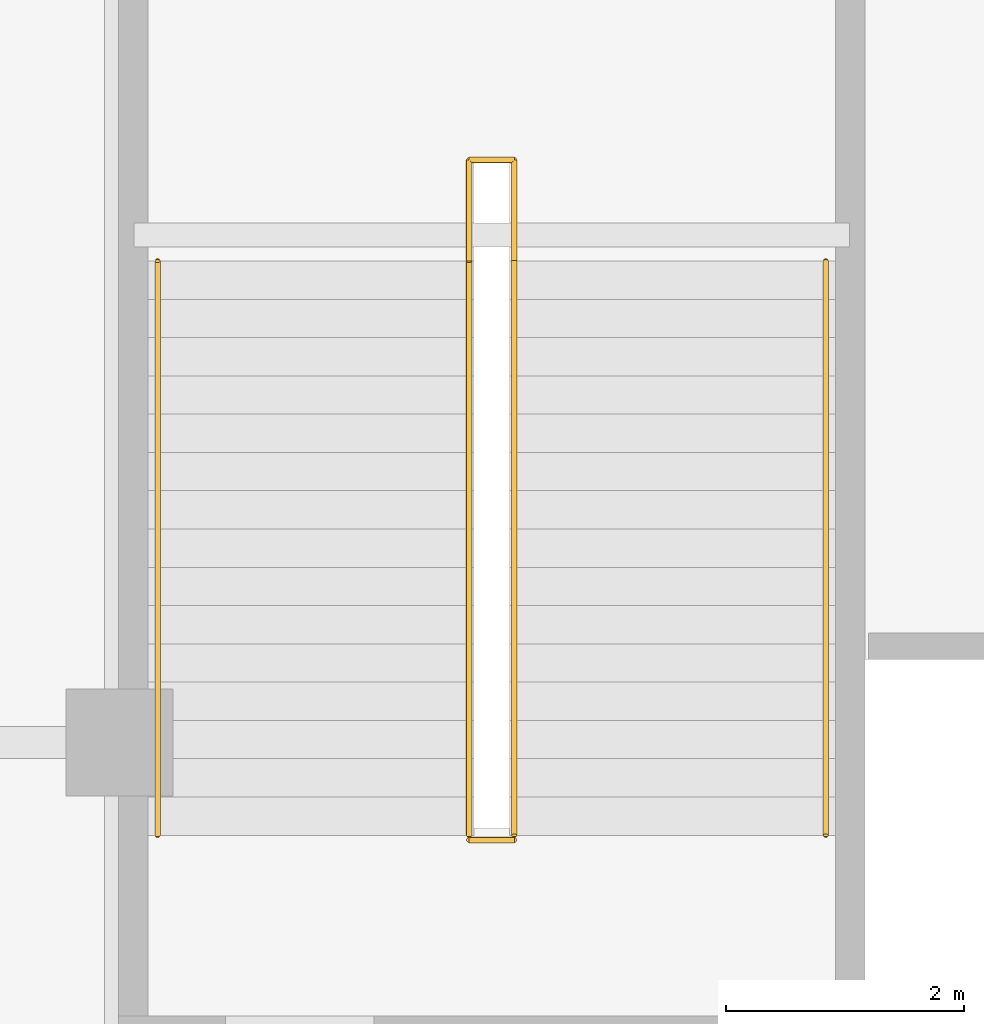
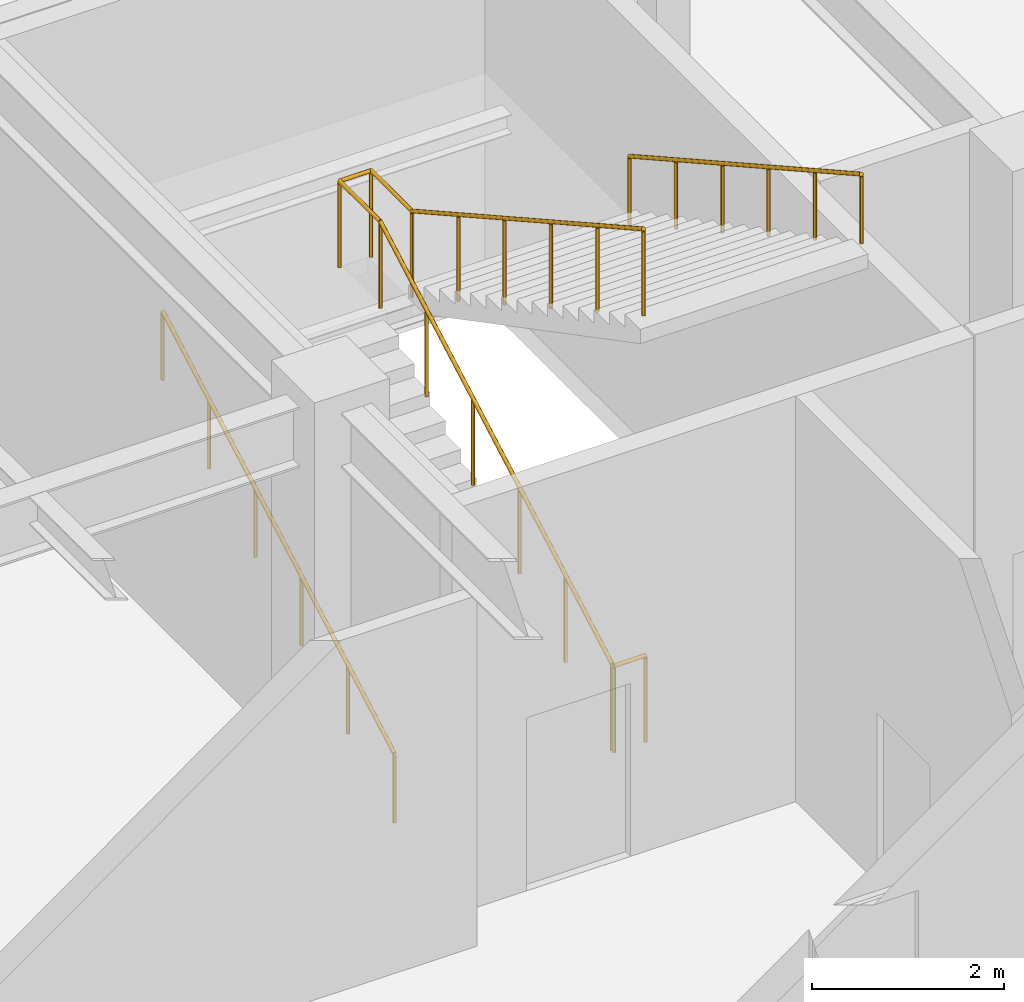
# One storey, part 137 of 139: 4 railings.
"""IFC4 building model written with IfcOpenShell, lengths in metres."""

from ifc_helpers import new_model, si_unit, direction, frame, origin, origin_2d, place, context, subcontext, project, spatial, circle, extrude, material, type_object, element, save


model = new_model("IFC4")

# Units and contexts
model_context = context("Model", 3, precision=1e-05, world=origin(), true_north=direction((0.0, 1.0)))
body_context = subcontext(model_context, "Body", "Model", "MODEL_VIEW")
ifc_project = project(units=[si_unit("LENGTHUNIT", "METRE"), si_unit("AREAUNIT", "SQUARE_METRE"), si_unit("VOLUMEUNIT", "CUBIC_METRE"), si_unit("PLANEANGLEUNIT", "RADIAN"), si_unit("MASSUNIT", "GRAM", prefix="KILO")], contexts=[model_context])

# Site, building, storey
site_placement = place(None, origin())
site = spatial("IfcSite", under=ifc_project, at=site_placement, CompositionType="ELEMENT")
building_placement = place(site_placement, origin())
building = spatial("IfcBuilding", under=site, at=building_placement, Name="Xicomal Pleat Aquarium", CompositionType="ELEMENT")
storey_placement = place(building_placement, origin())
storey = spatial("IfcBuildingStorey", under=building, at=storey_placement, Name="L01", CompositionType="ELEMENT", Elevation=0.0)

# Railings
ifc_material_1 = material(Name="Brushed stainless steel 316L", Category="steel")
railing_type_1 = type_object("IfcRailingType", Name="RAL-HR-900", PredefinedType="HANDRAIL", material=ifc_material_1)
railing_1_placement = place(storey_placement, frame((10.52001953125, 67.6201171875, 0.0)))
element("IfcRailing", 1, at=railing_1_placement, inside=storey, type_object=railing_type_1, Name="ST-03-L01 flight 1 handrail", PredefinedType="HANDRAIL", context=body_context, shape_type="SweptSolid", body=[
    extrude(circle(Radius=0.02392578125, at=origin_2d()), frame((0.0, 0.0, 0.8759765625), z_axis=(0.0, 0.872872184848, 0.487948920398), x_axis=(-1.0, 0.0, 0.0)), (0.0, 0.0, 1.0), 5.533203125),
    extrude(circle(Radius=0.02099609375, at=origin_2d()), origin(), (0.0, 0.0, 1.0), 0.851806640625),
    extrude(circle(Radius=0.02099609375, at=origin_2d()), frame((0.0, 0.966064453125, 0.5400390625)), (0.0, 0.0, 1.0), 0.851806640625),
    extrude(circle(Radius=0.02099609375, at=origin_2d()), frame((0.0, 1.931884765625, 1.080078125)), (0.0, 0.0, 1.0), 0.851806640625),
    extrude(circle(Radius=0.02099609375, at=origin_2d()), frame((0.0, 2.89794921875, 1.619873046875)), (0.0, 0.0, 1.0), 0.851806640625),
    extrude(circle(Radius=0.02099609375, at=origin_2d()), frame((0.0, 3.86376953125, 2.159912109375)), (0.0, 0.0, 1.0), 0.851806640625),
    extrude(circle(Radius=0.02099609375, at=origin_2d()), frame((0.0, 4.829833984375, 2.699951171875)), (0.0, 0.0, 1.0), 0.851806640625),
])
railing_2_placement = place(storey_placement, frame((16.139892578125, 72.449951171875, 2.699951171875)))
element("IfcRailing", 2, at=railing_2_placement, inside=storey, type_object=railing_type_1, Name="ST-03-L01 flight 2 handrail", PredefinedType="HANDRAIL", context=body_context, shape_type="SweptSolid", body=[
    extrude(circle(Radius=0.02392578125, at=origin_2d()), frame((0.0, 0.0, 0.8759765625), z_axis=(0.0, -0.872872184848, 0.487948920398), x_axis=(1.0, 0.0, 0.0)), (0.0, 0.0, 1.0), 5.533203125),
    extrude(circle(Radius=0.02099609375, at=origin_2d()), origin(), (0.0, 0.0, 1.0), 0.851806640625),
    extrude(circle(Radius=0.02099609375, at=origin_2d()), frame((0.0, -0.966064453125, 0.5400390625)), (0.0, 0.0, 1.0), 0.851806640625),
    extrude(circle(Radius=0.02099609375, at=origin_2d()), frame((0.0, -1.931884765625, 1.080078125)), (0.0, 0.0, 1.0), 0.851806640625),
    extrude(circle(Radius=0.02099609375, at=origin_2d()), frame((0.0, -2.89794921875, 1.619873046875)), (0.0, 0.0, 1.0), 0.851806640625),
    extrude(circle(Radius=0.02099609375, at=origin_2d()), frame((0.0, -3.86376953125, 2.159912109375)), (0.0, 0.0, 1.0), 0.851806640625),
    extrude(circle(Radius=0.02099609375, at=origin_2d()), frame((0.0, -4.829833984375, 2.699951171875)), (0.0, 0.0, 1.0), 0.851806640625),
])
ifc_material_2 = material(Name="Brushed stainless steel 316L", Category="steel")
railing_type_2 = type_object("IfcRailingType", Name="RAL-STG-1120", PredefinedType="GUARDRAIL", material=ifc_material_2)
railing_3_placement = place(storey_placement, frame((13.139892578125, 67.6201171875, 0.0)))
element("IfcRailing", 3, at=railing_3_placement, inside=storey, type_object=railing_type_2, Name="ST-03-L01 inner well guard", PredefinedType="GUARDRAIL", context=body_context, shape_type="SweptSolid", body=[
    extrude(circle(Radius=0.02392578125, at=origin_2d()), frame((0.0, 0.0, 1.09619140625), z_axis=(0.0, 0.872872184848, 0.487948920398), x_axis=(-1.0, 0.0, 0.0)), (0.0, 0.0, 1.0), 5.533203125),
    extrude(circle(Radius=0.02392578125, at=origin_2d()), frame((0.0, 4.829833984375, 3.7958984375), z_axis=(0.0, 1.0, 0.0), x_axis=(-1.0, 0.0, 0.0)), (0.0, 0.0, 1.0), 0.85009765625),
    extrude(circle(Radius=0.02392578125, at=origin_2d()), frame((0.0, 5.679931640625, 3.7958984375), z_axis=(1.0, 0.0, 0.0), x_axis=(0.0, 1.0, 0.0)), (0.0, 0.0, 1.0), 0.380126953125),
    extrude(circle(Radius=0.02392578125, at=origin_2d()), frame((0.380126953125, 5.679931640625, 3.7958984375), z_axis=(0.0, -1.0, 0.0), x_axis=(1.0, 0.0, 0.0)), (0.0, 0.0, 1.0), 0.85009765625),
    extrude(circle(Radius=0.02392578125, at=origin_2d()), frame((0.380126953125, 4.829833984375, 3.7958984375), z_axis=(0.0, -0.872872184848, 0.487948920398), x_axis=(1.0, 0.0, 0.0)), (0.0, 0.0, 1.0), 5.533203125),
    extrude(circle(Radius=0.02099609375, at=origin_2d()), origin(), (0.0, 0.0, 1.0), 1.072021484375),
    extrude(circle(Radius=0.02099609375, at=origin_2d()), frame((0.0, 0.966064453125, 0.5400390625)), (0.0, 0.0, 1.0), 1.072021484375),
    extrude(circle(Radius=0.02099609375, at=origin_2d()), frame((0.0, 1.931884765625, 1.080078125)), (0.0, 0.0, 1.0), 1.072021484375),
    extrude(circle(Radius=0.02099609375, at=origin_2d()), frame((0.0, 2.89794921875, 1.619873046875)), (0.0, 0.0, 1.0), 1.072021484375),
    extrude(circle(Radius=0.02099609375, at=origin_2d()), frame((0.0, 3.86376953125, 2.159912109375)), (0.0, 0.0, 1.0), 1.072021484375),
    extrude(circle(Radius=0.02099609375, at=origin_2d()), frame((0.0, 4.829833984375, 2.699951171875)), (0.0, 0.0, 1.0), 1.072021484375),
    extrude(circle(Radius=0.02099609375, at=origin_2d()), frame((0.0, 5.679931640625, 2.699951171875)), (0.0, 0.0, 1.0), 1.072021484375),
    extrude(circle(Radius=0.02099609375, at=origin_2d()), frame((0.380126953125, 5.679931640625, 2.699951171875)), (0.0, 0.0, 1.0), 1.072021484375),
    extrude(circle(Radius=0.02099609375, at=origin_2d()), frame((0.380126953125, 4.829833984375, 2.699951171875)), (0.0, 0.0, 1.0), 1.072021484375),
    extrude(circle(Radius=0.02099609375, at=origin_2d()), frame((0.380126953125, 3.86376953125, 3.239990234375)), (0.0, 0.0, 1.0), 1.072021484375),
    extrude(circle(Radius=0.02099609375, at=origin_2d()), frame((0.380126953125, 2.89794921875, 3.780029296875)), (0.0, 0.0, 1.0), 1.072021484375),
    extrude(circle(Radius=0.02099609375, at=origin_2d()), frame((0.380126953125, 1.931884765625, 4.31982421875)), (0.0, 0.0, 1.0), 1.072021484375),
    extrude(circle(Radius=0.02099609375, at=origin_2d()), frame((0.380126953125, 0.966064453125, 4.85986328125)), (0.0, 0.0, 1.0), 1.072021484375),
    extrude(circle(Radius=0.02099609375, at=origin_2d()), frame((0.380126953125, 0.0, 5.39990234375)), (0.0, 0.0, 1.0), 1.072021484375),
])
railing_4_placement = place(storey_placement, frame((13.139892578125, 67.580078125, 0.0)))
element("IfcRailing", 4, at=railing_4_placement, inside=storey, type_object=railing_type_2, Name="ST-03-L01 floor landing slot guard", PredefinedType="GUARDRAIL", context=body_context, shape_type="SweptSolid", body=[
    extrude(circle(Radius=0.02392578125, at=origin_2d()), frame((0.0, 0.0, 1.09619140625), z_axis=(1.0, 0.0, 0.0), x_axis=(0.0, 1.0, 0.0)), (0.0, 0.0, 1.0), 0.380126953125),
    extrude(circle(Radius=0.02099609375, at=origin_2d()), origin(), (0.0, 0.0, 1.0), 1.072021484375),
    extrude(circle(Radius=0.02099609375, at=origin_2d()), frame((0.380126953125, 0.0, 0.0)), (0.0, 0.0, 1.0), 1.072021484375),
])

save(model, "model.ifc")
